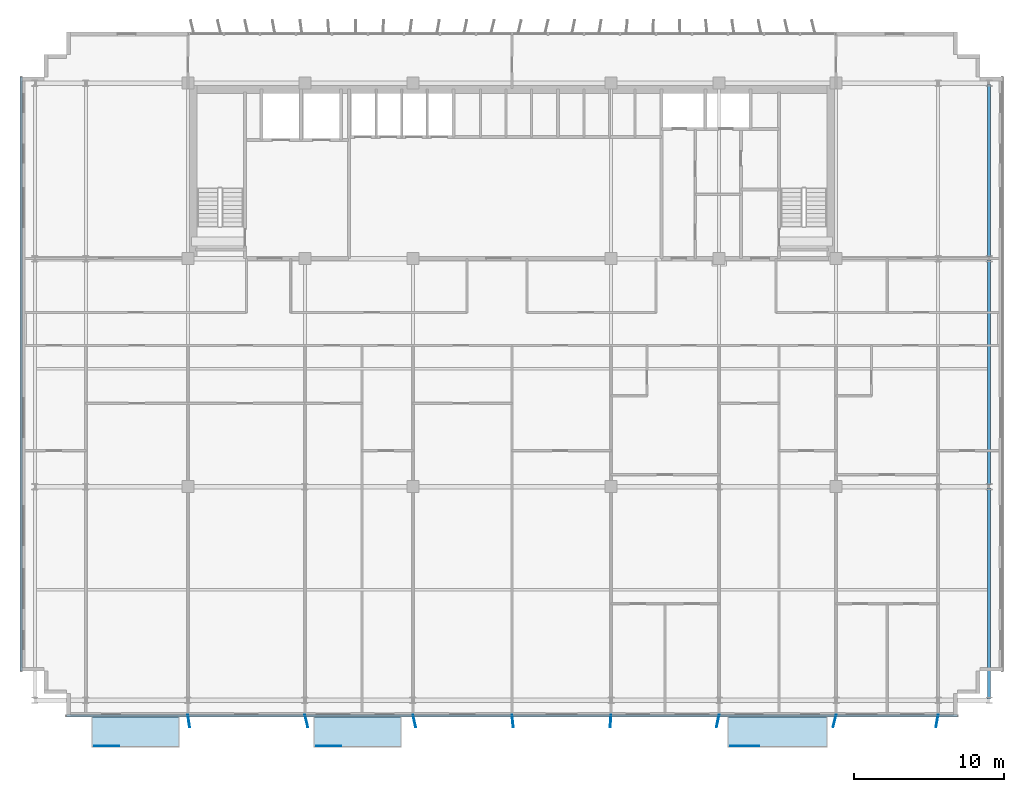
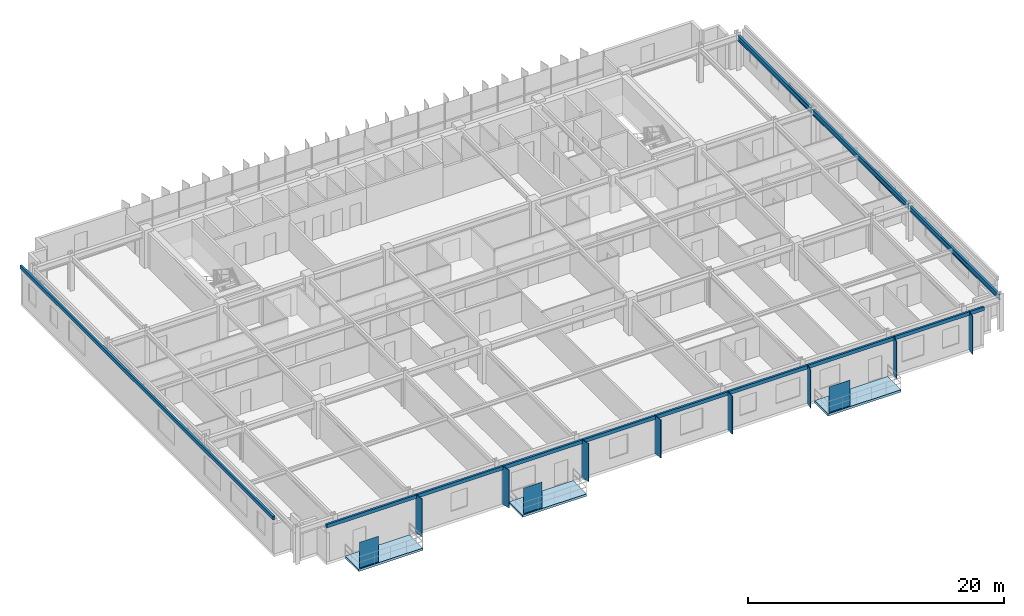
# One storey, part 12 of 21: 13 plates, 3 beams, 3 slabs.
"""IFC4 building model written with IfcOpenShell, lengths in metres."""

from ifc_helpers import new_model, si_unit, direction, frame, origin, origin_2d, place, context, subcontext, project, spatial, polyline, rectangle, i_section, outline, extrude, source, transform, mapped, material, layer, layer_set, material_profile, profile_set, type_object, element, save


model = new_model("IFC4")

# Units and contexts
model_context = context("Model", 3, precision=1e-05, world=origin(), true_north=direction((0.0, 1.0)))
body_context = subcontext(model_context, "Body", "Model", "MODEL_VIEW")
ifc_project = project(units=[si_unit("LENGTHUNIT", "METRE"), si_unit("AREAUNIT", "SQUARE_METRE"), si_unit("VOLUMEUNIT", "CUBIC_METRE"), si_unit("PLANEANGLEUNIT", "RADIAN"), si_unit("MASSUNIT", "GRAM", prefix="KILO")], contexts=[model_context])

# Site, building, storey
site_placement = place(None, origin())
site = spatial("IfcSite", under=ifc_project, at=site_placement, CompositionType="ELEMENT")
building_placement = place(site_placement, origin())
building = spatial("IfcBuilding", under=site, at=building_placement, Name="Trelvane Seafront Commons", CompositionType="ELEMENT")
storey_placement = place(building_placement, frame((0.0, 0.0, 103.300048828125)))
storey = spatial("IfcBuildingStorey", under=building, at=storey_placement, Name="L26", CompositionType="ELEMENT", Elevation=103.300048828125)

# Beams
ifc_material_1 = material(Name="Steel SM355 (S355)", Category="steel")
ifc_material_profile = material_profile(ifc_material_1, i_section(OverallWidth=0.199951171875, OverallDepth=0.5, WebThickness=0.010009765625, FlangeThickness=0.01611328125, at=origin_2d()), Name="H-500x200x10x16")
ifc_profile_set = profile_set([ifc_material_profile], Name="Steel SM355 (S355)")
beam_type = type_object("IfcBeamType", Name="STR-BM-H500", PredefinedType="BEAM", material=ifc_profile_set)
shared_shape_1 = source(origin(), body_context, "Body", "SweptSolid", [
    extrude(i_section(OverallWidth=0.199951171875, OverallDepth=0.5, WebThickness=0.010009765625, FlangeThickness=0.01611328125, at=origin_2d()), origin(), (0.0, 0.0, 1.0), 14.050048828125),
])
beam_1_placement = place(storey_placement, frame((69.0, 4.050048828125, 3.08984375), z_axis=(0.0, 1.0, 0.0), x_axis=(-1.0, 0.0, 0.0)))
element("IfcBeam", 1, at=beam_1_placement, inside=storey, type_object=beam_type, Name="L26 Primary Girder G-64", PredefinedType="BEAM", context=body_context, shape_type="MappedRepresentation", body=[
    mapped(shared_shape_1, transform((0.0, 0.0, 0.0), x_axis=(1.0, 0.0, 0.0), y_axis=(0.0, 1.0, 0.0), z_axis=(0.0, 0.0, 1.0), scale=1.0)),
])
shared_shape_2 = source(origin(), body_context, "Body", "SweptSolid", [
    extrude(i_section(OverallWidth=0.199951171875, OverallDepth=0.5, WebThickness=0.010009765625, FlangeThickness=0.01611328125, at=origin_2d()), origin(), (0.0, 0.0, 1.0), 15.0),
])
beam_2_placement = place(storey_placement, frame((69.0, 18.300048828125, 3.08984375), z_axis=(0.0, 1.0, 0.0), x_axis=(-1.0, 0.0, 0.0)))
element("IfcBeam", 2, at=beam_2_placement, inside=storey, type_object=beam_type, Name="L26 Primary Girder G-65", PredefinedType="BEAM", context=body_context, shape_type="MappedRepresentation", body=[
    mapped(shared_shape_2, transform((0.0, 0.0, 0.0), x_axis=(1.0, 0.0, 0.0), y_axis=(0.0, 1.0, 0.0), z_axis=(0.0, 0.0, 1.0), scale=1.0)),
])
shared_shape_3 = source(origin(), body_context, "Body", "SweptSolid", [
    extrude(i_section(OverallWidth=0.199951171875, OverallDepth=0.5, WebThickness=0.010009765625, FlangeThickness=0.01611328125, at=origin_2d()), origin(), (0.0, 0.0, 1.0), 11.5),
])
beam_3_placement = place(storey_placement, frame((69.0, 33.5, 3.08984375), z_axis=(0.0, 1.0, 0.0), x_axis=(-1.0, 0.0, 0.0)))
element("IfcBeam", 3, at=beam_3_placement, inside=storey, type_object=beam_type, Name="L26 Primary Girder G-66", PredefinedType="BEAM", context=body_context, shape_type="MappedRepresentation", body=[
    mapped(shared_shape_3, transform((0.0, 0.0, 0.0), x_axis=(1.0, 0.0, 0.0), y_axis=(0.0, 1.0, 0.0), z_axis=(0.0, 0.0, 1.0), scale=1.0)),
])

# Slabs
ifc_material_2 = material(Name="Concrete C40/50", Category="concrete")
ifc_layer_1 = layer(ifc_material_2, 0.219970703125, Name="ARCH-BALC-220")
ifc_layer_set_1 = layer_set([ifc_layer_1], Name="Concrete C40/50")
slab_type = type_object("IfcSlabType", Name="ARCH-BALC-220", PredefinedType="FLOOR", material=ifc_layer_set_1)
slab_1_placement = place(storey_placement, frame((0.0, 0.0, -0.219970703125)))
element("IfcSlab", 4, at=slab_1_placement, inside=storey, type_object=slab_type, Name="L26 Cantilevered Tree Balcony Loggia 1", PredefinedType="FLOOR", context=body_context, shape_type="SweptSolid", body=[
    extrude(outline(polyline([(9.199951171875, 0.800048828125), (15.0, 0.800048828125), (15.0, 2.89990234375), (9.199951171875, 2.89990234375), (9.199951171875, 0.800048828125)])), origin(), (0.0, 0.0, 1.0), 0.219970703125),
])
slab_2_placement = place(storey_placement, frame((0.0, 0.0, -0.219970703125)))
element("IfcSlab", 5, at=slab_2_placement, inside=storey, type_object=slab_type, Name="L26 Cantilevered Tree Balcony Loggia 2", PredefinedType="FLOOR", context=body_context, shape_type="SweptSolid", body=[
    extrude(outline(polyline([(24.0, 0.800048828125), (29.800048828125, 0.800048828125), (29.800048828125, 2.89990234375), (24.0, 2.89990234375), (24.0, 0.800048828125)])), origin(), (0.0, 0.0, 1.0), 0.219970703125),
])
slab_3_placement = place(storey_placement, frame((0.0, 0.0, -0.219970703125)))
element("IfcSlab", 6, at=slab_3_placement, inside=storey, type_object=slab_type, Name="L26 Cantilevered Tree Balcony Loggia 3", PredefinedType="FLOOR", context=body_context, shape_type="SweptSolid", body=[
    extrude(outline(polyline([(51.60009765625, 0.800048828125), (58.199951171875, 0.800048828125), (58.199951171875, 2.89990234375), (51.60009765625, 2.89990234375), (51.60009765625, 0.800048828125)])), origin(), (0.0, 0.0, 1.0), 0.219970703125),
])

# Plates
ifc_material_3 = material(Name="Perforated anodised aluminium screen", Category="aluminium")
ifc_layer_2 = layer(ifc_material_3, 0.01611328125, Name="ARCH-PLATE-SCREEN")
ifc_layer_set_2 = layer_set([ifc_layer_2], Name="Perforated anodised aluminium screen")
plate_type_1 = type_object("IfcPlateType", Name="ARCH-PLATE-SCREEN", PredefinedType="USERDEFINED", material=ifc_layer_set_2)
shared_shape_4 = source(origin(), body_context, "Body", "SweptSolid", [
    extrude(rectangle(XDim=1.9140625, YDim=0.01611328125, at=origin_2d()), origin(), (0.0, 0.0, 1.0), 2.449951171875),
])
plate_1_placement = place(storey_placement, frame((52.70703125, 0.919921875, 0.0), z_axis=(0.0, 0.0, 1.0), x_axis=(1.0, 0.0, 0.0)))
element("IfcPlate", 7, at=plate_1_placement, inside=storey, type_object=plate_type_1, Name="SCR-L26-00097", ObjectType="SCREEN", PredefinedType="USERDEFINED", context=body_context, shape_type="MappedRepresentation", body=[
    mapped(shared_shape_4, transform((0.0, 0.0, 0.0), x_axis=(1.0, 0.0, 0.0), y_axis=(0.0, 1.0, 0.0), z_axis=(0.0, 0.0, 1.0), scale=1.0)),
])
shared_shape_5 = source(origin(), body_context, "Body", "SweptSolid", [
    extrude(rectangle(XDim=1.681884765625, YDim=0.01611328125, at=origin_2d()), origin(), (0.0, 0.0, 1.0), 2.449951171875),
])
for number, where, z_axis, x_axis, name in (
    (8, (10.19091796875, 0.919921875, 0.0), (0.0, 0.0, 1.0), (1.0, 0.0, 0.0), "SCR-L26-00095"),
    (9, (24.990966796875, 0.919921875, 0.0), (0.0, 0.0, 1.0), (1.0, 0.0, 0.0), "SCR-L26-00096"),
):
    element("IfcPlate", number, at=place(storey_placement, frame(where, z_axis=z_axis, x_axis=x_axis)), inside=storey, type_object=plate_type_1, Name=name, ObjectType="SCREEN", PredefinedType="USERDEFINED", context=body_context, shape_type="MappedRepresentation", body=[
        mapped(shared_shape_5, transform((0.0, 0.0, 0.0), x_axis=(1.0, 0.0, 0.0), y_axis=(0.0, 1.0, 0.0), z_axis=(0.0, 0.0, 1.0), scale=1.0)),
    ])
ifc_material_4 = material(Name="Anodised pale-silver aluminium", Category="aluminium")
ifc_layer_3 = layer(ifc_material_4, 0.06005859375, Name="ARCH-PLATE-FIN900")
ifc_layer_set_3 = layer_set([ifc_layer_3], Name="Anodised pale-silver aluminium")
plate_type_2 = type_object("IfcPlateType", Name="ARCH-PLATE-FIN900", PredefinedType="USERDEFINED", material=ifc_layer_set_3)
shared_shape_6 = source(origin(), body_context, "Body", "SweptSolid", [
    extrude(rectangle(XDim=0.85009765625, YDim=0.06005859375, at=origin_2d()), origin(), (0.0, 0.0, 1.0), 3.639892578125),
])
for number, where, z_axis, x_axis, name in (
    (10, (15.6591796875, 2.5791015625, -0.02001953125), (0.0, 0.0, 1.0), (0.139065942828, -0.990283122923, 0.0), "FIN-S-L26-00674"),
    (11, (23.499267578125, 2.5869140625, -0.02001953125), (0.0, 0.0, 1.0), (0.233750831351, -0.97229653339, 0.0), "FIN-S-L26-00675"),
    (12, (30.693359375, 2.58544921875, -0.02001953125), (0.0, 0.0, 1.0), (0.219633370501, -0.975582483731, 0.0), "FIN-S-L26-00676"),
    (13, (37.24365234375, 2.577392578125, -0.02001953125), (0.0, 0.0, 1.0), (0.102589412826, -0.994723786976, 0.0), "FIN-S-L26-00677"),
    (14, (43.772705078125, 2.575927734375, -0.02001953125), (0.0, 0.0, 1.0), (-0.064237959617, -0.997934609353, 0.0), "FIN-S-L26-00678"),
    (15, (50.9150390625, 2.58349609375, -0.02001953125), (0.0, 0.0, 1.0), (-0.199644993627, -0.979868295497, 0.0), "FIN-S-L26-00679"),
    (16, (58.697509765625, 2.58740234375, -0.02001953125), (0.0, 0.0, 1.0), (-0.24081928061, -0.970569973823, 0.0), "FIN-S-L26-00680"),
    (17, (65.527587890625, 2.581298828125, -0.02001953125), (0.0, 0.0, 1.0), (-0.170233577172, -0.985403739187, 0.0), "FIN-S-L26-00681"),
):
    element("IfcPlate", number, at=place(storey_placement, frame(where, z_axis=z_axis, x_axis=x_axis)), inside=storey, type_object=plate_type_2, Name=name, ObjectType="FIN", PredefinedType="USERDEFINED", context=body_context, shape_type="MappedRepresentation", body=[
        mapped(shared_shape_6, transform((0.0, 0.0, 0.0), x_axis=(1.0, 0.0, 0.0), y_axis=(0.0, 1.0, 0.0), z_axis=(0.0, 0.0, 1.0), scale=1.0)),
    ])
ifc_layer_4 = layer(ifc_material_4, 0.179931640625, Name="ARCH-PLATE-AERO")
ifc_layer_set_4 = layer_set([ifc_layer_4], Name="Anodised pale-silver aluminium")
plate_type_3 = type_object("IfcPlateType", Name="ARCH-PLATE-AERO", PredefinedType="SHEET", material=ifc_layer_set_4)
shared_shape_7 = source(origin(), body_context, "Body", "SweptSolid", [
    extrude(rectangle(XDim=39.60009765625, YDim=0.179931640625, at=origin_2d()), origin(), (0.0, 0.0, 1.0), 0.340087890625),
])
plate_2_placement = place(storey_placement, frame((4.5, 25.699951171875, 3.27978515625), z_axis=(0.0, 0.0, 1.0), x_axis=(0.0, 1.0, 0.0)))
element("IfcPlate", 18, at=plate_2_placement, inside=storey, type_object=plate_type_3, Name="AER-L26-00093", PredefinedType="SHEET", context=body_context, shape_type="MappedRepresentation", body=[
    mapped(shared_shape_7, transform((0.0, 0.0, 0.0), x_axis=(1.0, 0.0, 0.0), y_axis=(0.0, 1.0, 0.0), z_axis=(0.0, 0.0, 1.0), scale=1.0)),
])
shared_shape_8 = source(origin(), body_context, "Body", "SweptSolid", [
    extrude(rectangle(XDim=59.39990234375, YDim=0.179931640625, at=origin_2d()), origin(), (0.0, 0.0, 1.0), 0.340087890625),
])
plate_3_placement = place(storey_placement, frame((37.199951171875, 2.93994140625, 3.27978515625), z_axis=(0.0, 0.0, 1.0), x_axis=(-1.0, 0.0, 0.0)))
element("IfcPlate", 19, at=plate_3_placement, inside=storey, type_object=plate_type_3, Name="AER-S-L26-00098", PredefinedType="SHEET", context=body_context, shape_type="MappedRepresentation", body=[
    mapped(shared_shape_8, transform((0.0, 0.0, 0.0), x_axis=(1.0, 0.0, 0.0), y_axis=(0.0, 1.0, 0.0), z_axis=(0.0, 0.0, 1.0), scale=1.0)),
])

save(model, "model.ifc")
